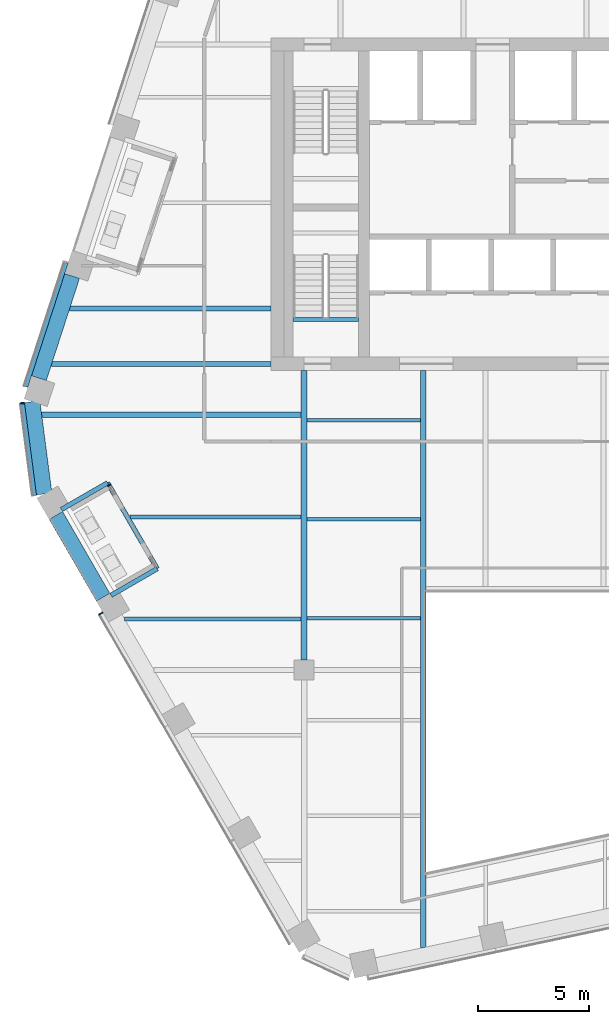
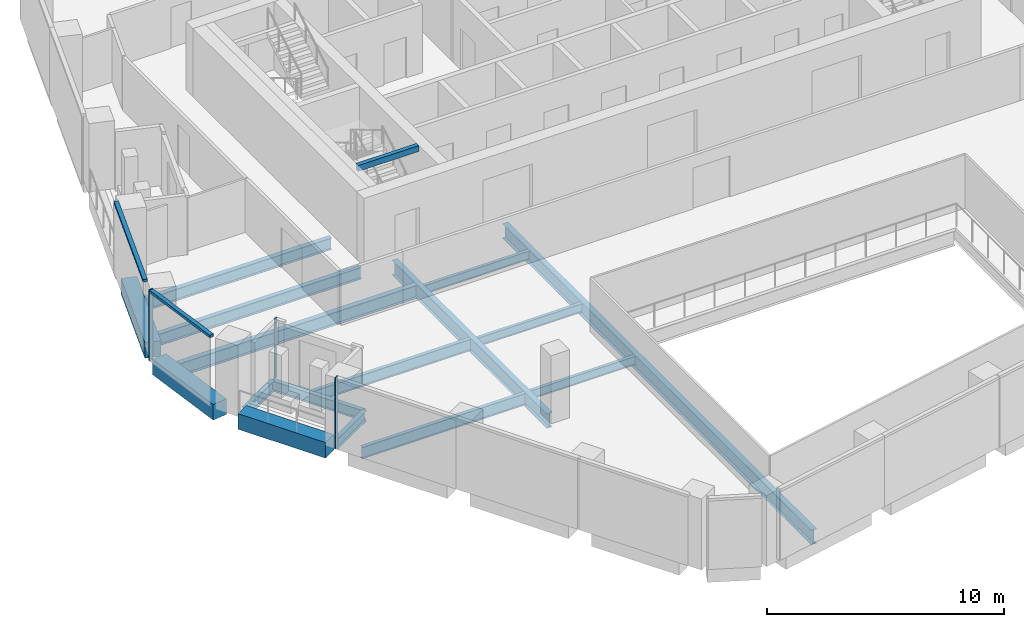
# One storey, part 3 of 24: 17 beams, 5 members, 4 elements without a shape of their own.
"""IFC4 building model written with IfcOpenShell, lengths in metres."""

from ifc_helpers import new_model, si_unit, direction, frame, origin, origin_2d, place, context, subcontext, project, spatial, rectangle, i_section, extrude, material, layer, layer_set, material_profile, profile_set, type_object, element, aggregate, save


model = new_model("IFC4")

# Units and contexts
model_context = context("Model", 3, precision=1e-05, world=origin(), true_north=direction((0.0, 1.0)))
body_context = subcontext(model_context, "Body", "Model", "MODEL_VIEW")
ifc_project = project(units=[si_unit("LENGTHUNIT", "METRE"), si_unit("AREAUNIT", "SQUARE_METRE"), si_unit("VOLUMEUNIT", "CUBIC_METRE"), si_unit("PLANEANGLEUNIT", "RADIAN"), si_unit("MASSUNIT", "GRAM", prefix="KILO")], contexts=[model_context])

# Site, building, storey
site_placement = place(None, origin())
site = spatial("IfcSite", under=ifc_project, at=site_placement, CompositionType="ELEMENT")
building_placement = place(site_placement, origin())
building = spatial("IfcBuilding", under=site, at=building_placement, Name="Isthmus Gate Tower", CompositionType="ELEMENT")
storey_placement = place(building_placement, frame((0.0, 0.0, 219.949951171875)))
storey = spatial("IfcBuildingStorey", under=building, at=storey_placement, Name="L55", CompositionType="ELEMENT", Elevation=219.949951171875)

# Curtain wall, member
ifc_material_1 = material(Name="Aluminium, pale champagne anodised", Category="aluminium")
ifc_layer_1 = layer(ifc_material_1, 0.199951171875)
ifc_layer_set_1 = layer_set([ifc_layer_1], Name="CW-1 UNITISED CURTAIN WALL 200 DEEP")
curtain_wall_type_1 = type_object("IfcCurtainWallType", Name="CW-1 UNITISED CURTAIN WALL 200 DEEP", PredefinedType="NOTDEFINED", material=ifc_layer_set_1)
curtain_wall_1_placement = place(storey_placement, origin())
curtain_wall_1 = element("IfcCurtainWall", 1, at=curtain_wall_1_placement, inside=storey, type_object=curtain_wall_type_1, Name="CW-1 NW-SW L55", PredefinedType="NOTDEFINED")
ifc_material_2 = material(Name="Aluminium, pale champagne anodised", Category="aluminium")
ifc_material_profile_1 = material_profile(ifc_material_2, rectangle(XDim=0.06005859375, YDim=0.199951171875, at=origin_2d()), Name="60x200")
ifc_profile_set_1 = profile_set([ifc_material_profile_1], Name="Aluminium, pale champagne anodised")
member_type_1 = type_object("IfcMemberType", Name="CW-1 MULLION 60 X 200", PredefinedType="MULLION", material=ifc_profile_set_1)
member_1_placement = place(storey_placement, frame((-26.205322265625, -1.4658203125, 0.0), z_axis=(0.0, 0.0, 1.0), x_axis=(0.129164534, -0.991623175988, 0.0)))
member_1 = element("IfcMember", 2, at=member_1_placement, type_object=member_type_1, Name="CW-1 mullion", PredefinedType="MULLION", context=body_context, shape_type="SweptSolid", body=[
    extrude(rectangle(XDim=0.06005859375, YDim=0.199951171875, at=origin_2d()), origin(), (0.0, 0.0, 1.0), 3.650146484375),
])

curtain_wall_2_placement = place(storey_placement, origin())
curtain_wall_2 = element("IfcCurtainWall", 3, at=curtain_wall_2_placement, inside=storey, type_object=curtain_wall_type_1, Name="CW-1 SW L55", PredefinedType="NOTDEFINED")
member_2_placement = place(storey_placement, frame((-22.66259765625, -10.947509765625, 0.0), z_axis=(0.0, 0.0, 1.0), x_axis=(0.5, -0.866025403784, 0.0)))
member_2 = element("IfcMember", 4, at=member_2_placement, type_object=member_type_1, Name="CW-1 mullion", PredefinedType="MULLION", context=body_context, shape_type="SweptSolid", body=[
    extrude(rectangle(XDim=0.06005859375, YDim=0.199951171875, at=origin_2d()), origin(), (0.0, 0.0, 1.0), 3.650146484375),
])
aggregate(curtain_wall_2, [member_2])

curtain_wall_3_placement = place(storey_placement, origin())
curtain_wall_3 = element("IfcCurtainWall", 5, at=curtain_wall_3_placement, inside=storey, type_object=curtain_wall_type_1, Name="CW-1 NW L55", PredefinedType="NOTDEFINED")
ifc_material_3 = material(Name="Aluminium, pale champagne anodised", Category="aluminium")
ifc_material_profile_2 = material_profile(ifc_material_3, rectangle(XDim=0.199951171875, YDim=0.1298828125, at=origin_2d()), Name="200x130")
ifc_profile_set_2 = profile_set([ifc_material_profile_2], Name="Aluminium, pale champagne anodised")
member_type_2 = type_object("IfcMemberType", Name="CW-1 TRANSOM 200 X 130", PredefinedType="USERDEFINED", material=ifc_profile_set_2)
member_3_placement = place(storey_placement, frame((-24.236083984375, 4.866455078125, 3.5849609375), z_axis=(-0.309009113534, -0.9510590769, 0.0), x_axis=(0.9510590769, -0.309009113534, 0.0)))
member_3 = element("IfcMember", 6, at=member_3_placement, type_object=member_type_2, Name="CW-1 transom", ObjectType="TRANSOM", PredefinedType="USERDEFINED", context=body_context, shape_type="SweptSolid", body=[
    extrude(rectangle(XDim=0.199951171875, YDim=0.1298828125, at=origin_2d()), origin(), (0.0, 0.0, 1.0), 5.882080078125),
])
aggregate(curtain_wall_3, [member_3])

# Member
member_4_placement = place(storey_placement, frame((-26.20166015625, -1.495361328125, 3.5849609375), z_axis=(0.129206893318, -0.991617657527, 0.0), x_axis=(0.991617657527, 0.129206893318, 0.0)))
member_4 = element("IfcMember", 7, at=member_4_placement, type_object=member_type_2, Name="CW-1 transom", ObjectType="TRANSOM", PredefinedType="USERDEFINED", context=body_context, shape_type="SweptSolid", body=[
    extrude(rectangle(XDim=0.199951171875, YDim=0.1298828125, at=origin_2d()), origin(), (0.0, 0.0, 1.0), 4.181640625),
])

aggregate(curtain_wall_1, [member_1, member_4])

# Curtain wall, member
ifc_material_4 = material(Name="Aluminium, pale champagne anodised", Category="aluminium")
ifc_layer_2 = layer(ifc_material_4, 0.14990234375)
ifc_layer_set_2 = layer_set([ifc_layer_2], Name="CW-6 LOGGIA BACK WALL GLAZING 150 DEEP")
curtain_wall_type_2 = type_object("IfcCurtainWallType", Name="CW-6 LOGGIA BACK WALL GLAZING 150 DEEP", PredefinedType="NOTDEFINED", material=ifc_layer_set_2)
curtain_wall_4_placement = place(storey_placement, origin())
curtain_wall_4 = element("IfcCurtainWall", 8, at=curtain_wall_4_placement, inside=storey, type_object=curtain_wall_type_2, Name="CW-6 SW L55", PredefinedType="NOTDEFINED")
ifc_material_5 = material(Name="Aluminium, pale champagne anodised", Category="aluminium")
ifc_material_profile_3 = material_profile(ifc_material_5, rectangle(XDim=0.06005859375, YDim=0.14990234375, at=origin_2d()), Name="60x150")
ifc_profile_set_3 = profile_set([ifc_material_profile_3], Name="Aluminium, pale champagne anodised")
member_type_3 = type_object("IfcMemberType", Name="CW-6 MULLION 60 X 150", PredefinedType="MULLION", material=ifc_profile_set_3)
member_5_placement = place(storey_placement, frame((-22.29638671875, -5.181396484375, 0.0), z_axis=(0.0, 0.0, 1.0), x_axis=(0.5, -0.866025403784, 0.0)))
member_5 = element("IfcMember", 9, at=member_5_placement, type_object=member_type_3, Name="CW-6 mullion", PredefinedType="MULLION", context=body_context, shape_type="SweptSolid", body=[
    extrude(rectangle(XDim=0.06005859375, YDim=0.14990234375, at=origin_2d()), origin(), (0.0, 0.0, 1.0), 3.050048828125),
])
aggregate(curtain_wall_4, [member_5])

# Beams
ifc_material_6 = material(Name="Concrete f'c 50 MPa", Category="concrete")
ifc_material_profile_4 = material_profile(ifc_material_6, rectangle(XDim=0.699951171875, YDim=0.800048828125, at=origin_2d()), Name="RC 700X800")
ifc_profile_set_4 = profile_set([ifc_material_profile_4], Name="Concrete f'c 50 MPa")
beam_type_1 = type_object("IfcBeamType", Name="RC SPANDREL 700 X 800", PredefinedType="SPANDREL", material=ifc_profile_set_4)
beam_1_placement = place(storey_placement, frame((-22.562744140625, -10.22021484375, -0.39990234375), z_axis=(-0.499996907167, 0.866027189425, 0.0), x_axis=(-0.866027189425, -0.499996907167, 0.0)))
element("IfcBeam", 10, at=beam_1_placement, inside=storey, type_object=beam_type_1, Name="str-spandrel-L55-19", PredefinedType="SPANDREL", context=body_context, shape_type="SweptSolid", body=[
    extrude(rectangle(XDim=0.699951171875, YDim=0.800048828125, at=origin_2d()), origin(), (0.0, 0.0, 1.0), 4.2607421875),
])
beam_2_placement = place(storey_placement, frame((-25.218017578125, -5.563232421875, -0.39990234375), z_axis=(-0.129137748309, 0.991626664608, 0.0), x_axis=(-0.991626664608, -0.129137748309, 0.0)))
element("IfcBeam", 11, at=beam_2_placement, inside=storey, type_object=beam_type_1, Name="str-spandrel-L55-20", PredefinedType="SPANDREL", context=body_context, shape_type="SweptSolid", body=[
    extrude(rectangle(XDim=0.699951171875, YDim=0.800048828125, at=origin_2d()), origin(), (0.0, 0.0, 1.0), 4.197021484375),
])
beam_3_placement = place(storey_placement, frame((-25.455810546875, -0.34375, -0.39990234375), z_axis=(0.309033626624, 0.951051111989, 0.0), x_axis=(-0.951051111989, 0.309033626624, 0.0)))
element("IfcBeam", 12, at=beam_3_placement, inside=storey, type_object=beam_type_1, Name="str-spandrel-L55-21", PredefinedType="SPANDREL", context=body_context, shape_type="SweptSolid", body=[
    extrude(rectangle(XDim=0.699951171875, YDim=0.800048828125, at=origin_2d()), origin(), (0.0, 0.0, 1.0), 4.842041015625),
])
ifc_material_7 = material(Name="Concrete f'c 40 MPa", Category="concrete")
ifc_material_profile_5 = material_profile(ifc_material_7, rectangle(XDim=0.199951171875, YDim=0.300048828125, at=origin_2d()), Name="STAIR LANDING BEAM RC 200 X 300")
ifc_profile_set_5 = profile_set([ifc_material_profile_5], Name="Concrete f'c 40 MPa")
beam_type_2 = type_object("IfcBeamType", Name="STAIR LANDING BEAM RC 200 X 300", PredefinedType="BEAM", material=ifc_profile_set_5)
beam_4_placement = place(storey_placement, frame((-14.0, 2.2998046875, 3.35009765625), z_axis=(1.0, 0.0, 0.0), x_axis=(0.0, 1.0, 0.0)))
element("IfcBeam", 13, at=beam_4_placement, inside=storey, type_object=beam_type_2, Name="L55 ST7 floor-edge seat beam", PredefinedType="BEAM", context=body_context, shape_type="SweptSolid", body=[
    extrude(rectangle(XDim=0.199951171875, YDim=0.300048828125, at=origin_2d()), origin(), (0.0, 0.0, 1.0), 2.949951171875),
])
ifc_material_8 = material(Name="Structural steel ASTM A992 Gr 50", Category="steel")
ifc_material_profile_6 = material_profile(ifc_material_8, i_section(OverallWidth=0.15234375, OverallDepth=0.45068359375, WebThickness=0.0078125, FlangeThickness=0.010986328125, at=origin_2d()), Name="W18X35")
ifc_profile_set_6 = profile_set([ifc_material_profile_6], Name="Structural steel ASTM A992 Gr 50")
beam_type_3 = type_object("IfcBeamType", Name="STEEL FLOOR BEAM W18X35", PredefinedType="JOIST", material=ifc_profile_set_6)
for number, where, z_axis, x_axis, name in (
    (14, (-13.3681640625, -11.16259765625, -0.375244140625), (1.0, 0.0, 0.0), (0.0, 1.0, 0.0), "str-beam-L55-05-00"),
    (15, (-13.3681640625, -6.697509765625, -0.375244140625), (1.0, 0.0, 0.0), (0.0, 1.0, 0.0), "str-beam-L55-05-01"),
    (16, (-13.3681640625, -2.232421875, -0.375244140625), (1.0, 0.0, 0.0), (0.0, 1.0, 0.0), "str-beam-L55-05-02"),
):
    element("IfcBeam", number, at=place(storey_placement, frame(where, z_axis=z_axis, x_axis=x_axis)), inside=storey, type_object=beam_type_3, Name=name, PredefinedType="JOIST", context=body_context, shape_type="SweptSolid", body=[
        extrude(i_section(OverallWidth=0.15234375, OverallDepth=0.45068359375, WebThickness=0.0078125, FlangeThickness=0.010986328125, at=origin_2d()), origin(), (0.0, 0.0, 1.0), 5.104736328125),
    ])
ifc_material_9 = material(Name="Structural steel ASTM A992 Gr 50", Category="steel")
ifc_material_profile_7 = material_profile(ifc_material_9, i_section(OverallWidth=0.177734375, OverallDepth=0.60009765625, WebThickness=0.009521484375, FlangeThickness=0.0126953125, at=origin_2d()), Name="W24X55")
ifc_profile_set_7 = profile_set([ifc_material_profile_7], Name="Structural steel ASTM A992 Gr 50")
beam_type_4 = type_object("IfcBeamType", Name="STEEL FLOOR BEAM W24X55", PredefinedType="JOIST", material=ifc_profile_set_7)
beam_5_placement = place(storey_placement, frame((-21.593017578125, -11.199951171875, -0.449951171875), z_axis=(1.0, 0.0, 0.0), x_axis=(0.0, 1.0, 0.0)))
element("IfcBeam", 17, at=beam_5_placement, inside=storey, type_object=beam_type_4, Name="str-beam-L55-03-00", PredefinedType="JOIST", context=body_context, shape_type="SweptSolid", body=[
    extrude(i_section(OverallWidth=0.177734375, OverallDepth=0.60009765625, WebThickness=0.009521484375, FlangeThickness=0.0126953125, at=origin_2d()), origin(), (0.0, 0.0, 1.0), 7.961181640625),
])
beam_6_placement = place(storey_placement, frame((-21.35107421875, -6.60009765625, -0.449951171875), z_axis=(1.0, 0.0, 0.0), x_axis=(0.0, 1.0, 0.0)))
element("IfcBeam", 18, at=beam_6_placement, inside=storey, type_object=beam_type_4, Name="str-beam-L55-03-01", PredefinedType="JOIST", context=body_context, shape_type="SweptSolid", body=[
    extrude(i_section(OverallWidth=0.177734375, OverallDepth=0.60009765625, WebThickness=0.009521484375, FlangeThickness=0.0126953125, at=origin_2d()), origin(), (0.0, 0.0, 1.0), 7.71923828125),
])
ifc_material_10 = material(Name="Structural steel ASTM A992 Gr 50", Category="steel")
ifc_material_profile_8 = material_profile(ifc_material_10, i_section(OverallWidth=0.228515625, OverallDepth=0.603271484375, WebThickness=0.010986328125, FlangeThickness=0.014404296875, at=origin_2d()), Name="W24X68")
ifc_profile_set_8 = profile_set([ifc_material_profile_8], Name="Structural steel ASTM A992 Gr 50")
beam_type_5 = type_object("IfcBeamType", Name="STEEL FLOOR BEAM W24X68", PredefinedType="JOIST", material=ifc_profile_set_8)
beam_7_placement = place(storey_placement, frame((-24.06787109375, 2.795166015625, -0.45166015625), z_axis=(1.0, 0.0, 0.0), x_axis=(0.0, 1.0, 0.0)))
element("IfcBeam", 19, at=beam_7_placement, inside=storey, type_object=beam_type_5, Name="str-beam-L55-02-00", PredefinedType="JOIST", context=body_context, shape_type="SweptSolid", body=[
    extrude(i_section(OverallWidth=0.228515625, OverallDepth=0.603271484375, WebThickness=0.010986328125, FlangeThickness=0.014404296875, at=origin_2d()), origin(), (0.0, 0.0, 1.0), 9.06787109375),
])
ifc_material_11 = material(Name="Structural steel ASTM A992 Gr 50", Category="steel")
ifc_material_profile_9 = material_profile(ifc_material_11, i_section(OverallWidth=0.25390625, OverallDepth=0.679443359375, WebThickness=0.010986328125, FlangeThickness=0.015869140625, at=origin_2d()), Name="W27X84")
ifc_profile_set_9 = profile_set([ifc_material_profile_9], Name="Structural steel ASTM A992 Gr 50")
beam_type_6 = type_object("IfcBeamType", Name="STEEL FLOOR BEAM W27X84", PredefinedType="JOIST", material=ifc_profile_set_9)
beam_8_placement = place(storey_placement, frame((-25.3291015625, -2.0, -0.48974609375), z_axis=(1.0, 0.0, 0.0), x_axis=(0.0, 1.0, 0.0)))
element("IfcBeam", 20, at=beam_8_placement, inside=storey, type_object=beam_type_6, Name="str-beam-L55-03-02", PredefinedType="JOIST", context=body_context, shape_type="SweptSolid", body=[
    extrude(i_section(OverallWidth=0.25390625, OverallDepth=0.679443359375, WebThickness=0.010986328125, FlangeThickness=0.015869140625, at=origin_2d()), origin(), (0.0, 0.0, 1.0), 11.697265625),
])
ifc_material_12 = material(Name="Structural steel ASTM A992 Gr 50", Category="steel")
ifc_material_profile_10 = material_profile(ifc_material_12, i_section(OverallWidth=0.228515625, OverallDepth=0.6064453125, WebThickness=0.010986328125, FlangeThickness=0.017578125, at=origin_2d()), Name="W24X76")
ifc_profile_set_10 = profile_set([ifc_material_profile_10], Name="Structural steel ASTM A992 Gr 50")
beam_type_7 = type_object("IfcBeamType", Name="STEEL GIRDER W24X76", PredefinedType="BEAM", material=ifc_profile_set_10)
beam_9_placement = place(storey_placement, frame((-15.0, 0.300048828125, -0.453125), z_axis=(-1.0, 0.0, 0.0), x_axis=(0.0, -1.0, 0.0)))
element("IfcBeam", 21, at=beam_9_placement, inside=storey, type_object=beam_type_7, Name="str-girder-L55-09", PredefinedType="BEAM", context=body_context, shape_type="SweptSolid", body=[
    extrude(i_section(OverallWidth=0.228515625, OverallDepth=0.6064453125, WebThickness=0.010986328125, FlangeThickness=0.017578125, at=origin_2d()), origin(), (0.0, 0.0, 1.0), 9.878662109375),
])
ifc_material_13 = material(Name="Structural steel ASTM A992 Gr 50", Category="steel")
ifc_material_profile_11 = material_profile(ifc_material_13, i_section(OverallWidth=0.263427734375, OverallDepth=0.749267578125, WebThickness=0.0126953125, FlangeThickness=0.015869140625, at=origin_2d()), Name="W30X90")
ifc_profile_set_11 = profile_set([ifc_material_profile_11], Name="Structural steel ASTM A992 Gr 50")
beam_type_8 = type_object("IfcBeamType", Name="STEEL GIRDER W30X90", PredefinedType="BEAM", material=ifc_profile_set_11)
beam_10_placement = place(storey_placement, frame((-13.5, -13.050048828125, -0.524658203125), z_axis=(0.0, 1.0, 0.0), x_axis=(-1.0, 0.0, 0.0)))
element("IfcBeam", 22, at=beam_10_placement, inside=storey, type_object=beam_type_8, Name="str-girder-L55-06", PredefinedType="BEAM", context=body_context, shape_type="SweptSolid", body=[
    extrude(i_section(OverallWidth=0.263427734375, OverallDepth=0.749267578125, WebThickness=0.0126953125, FlangeThickness=0.015869140625, at=origin_2d()), origin(), (0.0, 0.0, 1.0), 13.050048828125),
])
ifc_material_14 = material(Name="Structural steel ASTM A992 Gr 50", Category="steel")
ifc_material_profile_12 = material_profile(ifc_material_14, i_section(OverallWidth=0.20947265625, OverallDepth=0.533447265625, WebThickness=0.009521484375, FlangeThickness=0.015869140625, at=origin_2d()), Name="W21X62")
ifc_profile_set_12 = profile_set([ifc_material_profile_12], Name="Structural steel ASTM A992 Gr 50")
beam_type_9 = type_object("IfcBeamType", Name="STEEL TRIMMER W21X62", PredefinedType="BEAM", material=ifc_profile_set_12)
beam_11_placement = place(storey_placement, frame((-22.35986328125, -5.062255859375, -0.416748046875), z_axis=(0.500021879487, -0.866012771288, 0.0), x_axis=(0.866012771288, 0.500021879487, 0.0)))
element("IfcBeam", 23, at=beam_11_placement, inside=storey, type_object=beam_type_9, Name="str-loggiatrim-L55-03-B", PredefinedType="BEAM", context=body_context, shape_type="SweptSolid", body=[
    extrude(i_section(OverallWidth=0.20947265625, OverallDepth=0.533447265625, WebThickness=0.009521484375, FlangeThickness=0.015869140625, at=origin_2d()), origin(), (0.0, 0.0, 1.0), 4.469970703125),
])
for number, where, z_axis, x_axis, name in (
    (24, (-24.4423828125, -6.2646484375, -0.416748046875), (0.866016514357, 0.500015396624, 0.0), (-0.500015396624, 0.866016514357, 0.0), "str-loggiatrim-L55-03-A"),
    (25, (-22.207275390625, -10.1357421875, -0.416748046875), (0.866016514357, 0.500015396624, 0.0), (-0.500015396624, 0.866016514357, 0.0), "str-loggiatrim-L55-03-C"),
):
    element("IfcBeam", number, at=place(storey_placement, frame(where, z_axis=z_axis, x_axis=x_axis)), inside=storey, type_object=beam_type_9, Name=name, PredefinedType="BEAM", context=body_context, shape_type="SweptSolid", body=[
        extrude(i_section(OverallWidth=0.20947265625, OverallDepth=0.533447265625, WebThickness=0.009521484375, FlangeThickness=0.015869140625, at=origin_2d()), origin(), (0.0, 0.0, 1.0), 2.40478515625),
    ])
ifc_material_15 = material(Name="Structural steel ASTM A992 Gr 50", Category="steel")
ifc_material_profile_13 = material_profile(ifc_material_15, i_section(OverallWidth=0.263427734375, OverallDepth=0.749267578125, WebThickness=0.0126953125, FlangeThickness=0.015869140625, at=origin_2d()), Name="W30X90")
ifc_profile_set_13 = profile_set([ifc_material_profile_13], Name="Structural steel ASTM A992 Gr 50")
beam_type_10 = type_object("IfcBeamType", Name="STEEL TRIMMER W30X90", PredefinedType="BEAM", material=ifc_profile_set_13)
beam_12_placement = place(storey_placement, frame((-8.1318359375, 0.0, -0.524658203125), z_axis=(0.0, -1.0, 0.0), x_axis=(1.0, 0.0, 0.0)))
element("IfcBeam", 26, at=beam_12_placement, inside=storey, type_object=beam_type_10, Name="str-trimmer-L55-02", PredefinedType="BEAM", context=body_context, shape_type="SweptSolid", body=[
    extrude(i_section(OverallWidth=0.263427734375, OverallDepth=0.749267578125, WebThickness=0.0126953125, FlangeThickness=0.015869140625, at=origin_2d()), origin(), (0.0, 0.0, 1.0), 26.012939453125),
])

save(model, "model.ifc")
